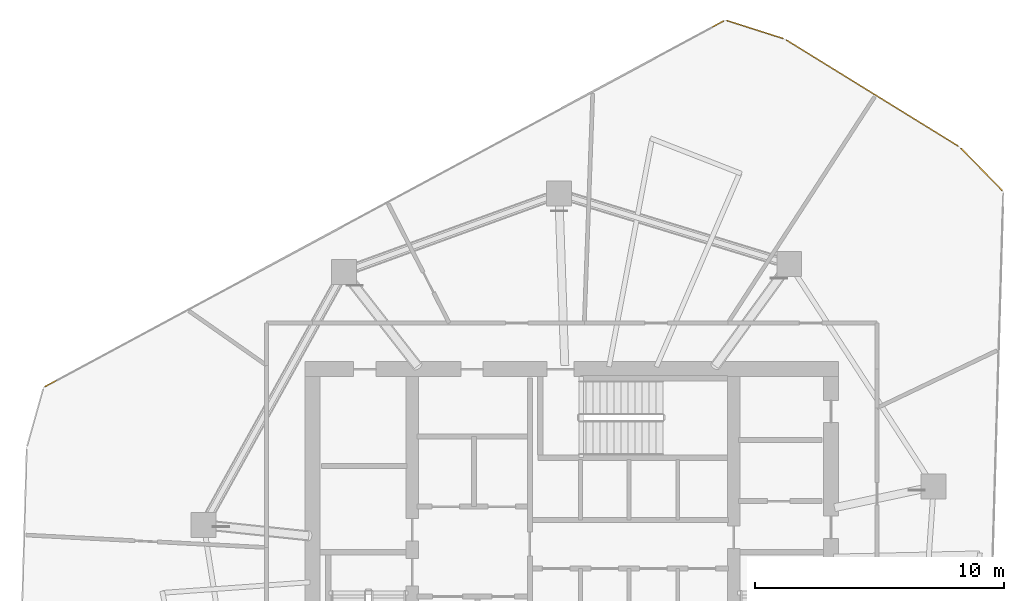
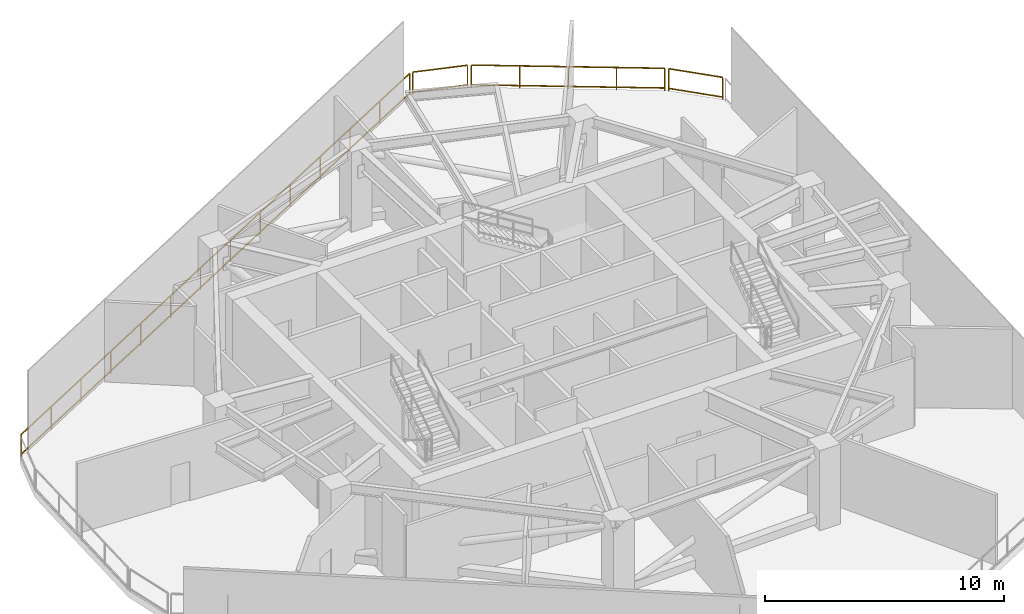
# One storey, part 6 of 6: 4 railings.
"""IFC4 building model written with IfcOpenShell, lengths in metres."""

from ifc_helpers import new_model, si_unit, direction, frame, origin, origin_2d, place, context, subcontext, project, spatial, rectangle, extrude, material, type_object, element, save


model = new_model("IFC4")

# Units and contexts
model_context = context("Model", 3, precision=1e-05, world=origin(), true_north=direction((0.0, 1.0)))
body_context = subcontext(model_context, "Body", "Model", "MODEL_VIEW")
ifc_project = project(units=[si_unit("LENGTHUNIT", "METRE"), si_unit("AREAUNIT", "SQUARE_METRE"), si_unit("VOLUMEUNIT", "CUBIC_METRE"), si_unit("PLANEANGLEUNIT", "RADIAN"), si_unit("MASSUNIT", "GRAM", prefix="KILO")], contexts=[model_context])

# Site, building, storey
site_placement = place(None, origin())
site = spatial("IfcSite", under=ifc_project, at=site_placement, CompositionType="ELEMENT")
building_placement = place(site_placement, origin())
building = spatial("IfcBuilding", under=site, at=building_placement, Name="Qarnah Convention Tower", CompositionType="ELEMENT")
storey_placement = place(building_placement, frame((0.0, 0.0, 172.5)))
storey = spatial("IfcBuildingStorey", under=building, at=storey_placement, Name="L46", CompositionType="ELEMENT", Elevation=172.5)

# Railings
ifc_material = material(Name="Black anodised aluminium", Category="aluminium")
railing_type = type_object("IfcRailingType", Name="RL-EXT-GUARD-1150", PredefinedType="GUARDRAIL", material=ifc_material)
railing_1_placement = place(storey_placement, frame((45.81689453125, 47.406982421875, 0.0)))
element("IfcRailing", 1, at=railing_1_placement, inside=storey, type_object=railing_type, Name="L46 open refuge and plant deck perimeter guard 01", PredefinedType="GUARDRAIL", context=body_context, shape_type="SweptSolid", body=[
    extrude(rectangle(XDim=0.048095703125, YDim=0.048095703125, at=origin_2d()), frame((0.0, 0.0, 1.1259765625), z_axis=(0.85102396879, -0.525126846147, 0.0), x_axis=(0.525126846147, 0.85102396879, 0.0)), (0.0, 0.0, 1.0), 8.09521484375),
    extrude(rectangle(XDim=0.048095703125, YDim=0.048095703125, at=origin_2d()), frame((0.0, 0.0, 0.1201171875), z_axis=(0.85102396879, -0.525126846147, 0.0), x_axis=(0.525126846147, 0.85102396879, 0.0)), (0.0, 0.0, 1.0), 8.09521484375),
    extrude(rectangle(XDim=0.0419921875, YDim=0.0419921875, at=origin_2d()), origin(), (0.0, 0.0, 1.0), 1.101806640625),
    extrude(rectangle(XDim=0.0419921875, YDim=0.0419921875, at=origin_2d()), frame((1.72216796875, -1.062744140625, 0.0)), (0.0, 0.0, 1.0), 1.101806640625),
    extrude(rectangle(XDim=0.0419921875, YDim=0.0419921875, at=origin_2d()), frame((3.444580078125, -2.12548828125, 0.0)), (0.0, 0.0, 1.0), 1.101806640625),
    extrude(rectangle(XDim=0.0419921875, YDim=0.0419921875, at=origin_2d()), frame((5.1669921875, -3.188232421875, 0.0)), (0.0, 0.0, 1.0), 1.101806640625),
    extrude(rectangle(XDim=0.0419921875, YDim=0.0419921875, at=origin_2d()), frame((6.88916015625, -4.2509765625, 0.0)), (0.0, 0.0, 1.0), 1.101806640625),
])
railing_2_placement = place(storey_placement, frame((52.830078125, 43.056884765625, 0.0)))
element("IfcRailing", 2, at=railing_2_placement, inside=storey, type_object=railing_type, Name="L46 open refuge and plant deck perimeter guard 02", PredefinedType="GUARDRAIL", context=body_context, shape_type="SweptSolid", body=[
    extrude(rectangle(XDim=0.048095703125, YDim=0.048095703125, at=origin_2d()), frame((0.0, 0.0, 1.1259765625), z_axis=(0.698522770079, -0.71558782807, 0.0), x_axis=(0.71558782807, 0.698522770079, 0.0)), (0.0, 0.0, 1.0), 2.34619140625),
    extrude(rectangle(XDim=0.048095703125, YDim=0.048095703125, at=origin_2d()), frame((0.0, 0.0, 0.1201171875), z_axis=(0.698522770079, -0.71558782807, 0.0), x_axis=(0.71558782807, 0.698522770079, 0.0)), (0.0, 0.0, 1.0), 2.34619140625),
    extrude(rectangle(XDim=0.0419921875, YDim=0.0419921875, at=origin_2d()), origin(), (0.0, 0.0, 1.0), 1.101806640625),
    extrude(rectangle(XDim=0.0419921875, YDim=0.0419921875, at=origin_2d()), frame((1.638916015625, -1.678955078125, 0.0)), (0.0, 0.0, 1.0), 1.101806640625),
])
railing_3_placement = place(storey_placement, frame((16.072021484375, 33.5048828125, 0.0)))
element("IfcRailing", 3, at=railing_3_placement, inside=storey, type_object=railing_type, Name="L46 open refuge and plant deck perimeter guard 11", PredefinedType="GUARDRAIL", context=body_context, shape_type="SweptSolid", body=[
    extrude(rectangle(XDim=0.048095703125, YDim=0.048095703125, at=origin_2d()), frame((0.0, 0.0, 1.1259765625), z_axis=(0.88032450977, 0.474371961121, 0.0), x_axis=(-0.474371961121, 0.88032450977, 0.0)), (0.0, 0.0, 1.0), 30.919189453125),
    extrude(rectangle(XDim=0.048095703125, YDim=0.048095703125, at=origin_2d()), frame((0.0, 0.0, 0.1201171875), z_axis=(0.88032450977, 0.474371961121, 0.0), x_axis=(-0.474371961121, 0.88032450977, 0.0)), (0.0, 0.0, 1.0), 30.919189453125),
    extrude(rectangle(XDim=0.0419921875, YDim=0.0419921875, at=origin_2d()), origin(), (0.0, 0.0, 1.0), 1.101806640625),
    extrude(rectangle(XDim=0.0419921875, YDim=0.0419921875, at=origin_2d()), frame((2.09375, 1.128173828125, 0.0)), (0.0, 0.0, 1.0), 1.101806640625),
    extrude(rectangle(XDim=0.0419921875, YDim=0.0419921875, at=origin_2d()), frame((4.1875, 2.256591796875, 0.0)), (0.0, 0.0, 1.0), 1.101806640625),
    extrude(rectangle(XDim=0.0419921875, YDim=0.0419921875, at=origin_2d()), frame((6.28125, 3.384765625, 0.0)), (0.0, 0.0, 1.0), 1.101806640625),
    extrude(rectangle(XDim=0.0419921875, YDim=0.0419921875, at=origin_2d()), frame((8.375, 4.512939453125, 0.0)), (0.0, 0.0, 1.0), 1.101806640625),
    extrude(rectangle(XDim=0.0419921875, YDim=0.0419921875, at=origin_2d()), frame((10.46875, 5.641357421875, 0.0)), (0.0, 0.0, 1.0), 1.101806640625),
    extrude(rectangle(XDim=0.0419921875, YDim=0.0419921875, at=origin_2d()), frame((12.5625, 6.76953125, 0.0)), (0.0, 0.0, 1.0), 1.101806640625),
    extrude(rectangle(XDim=0.0419921875, YDim=0.0419921875, at=origin_2d()), frame((14.656494140625, 7.897705078125, 0.0)), (0.0, 0.0, 1.0), 1.101806640625),
    extrude(rectangle(XDim=0.0419921875, YDim=0.0419921875, at=origin_2d()), frame((16.750244140625, 9.02587890625, 0.0)), (0.0, 0.0, 1.0), 1.101806640625),
    extrude(rectangle(XDim=0.0419921875, YDim=0.0419921875, at=origin_2d()), frame((18.843994140625, 10.154296875, 0.0)), (0.0, 0.0, 1.0), 1.101806640625),
    extrude(rectangle(XDim=0.0419921875, YDim=0.0419921875, at=origin_2d()), frame((20.937744140625, 11.282470703125, 0.0)), (0.0, 0.0, 1.0), 1.101806640625),
    extrude(rectangle(XDim=0.0419921875, YDim=0.0419921875, at=origin_2d()), frame((23.031494140625, 12.41064453125, 0.0)), (0.0, 0.0, 1.0), 1.101806640625),
    extrude(rectangle(XDim=0.0419921875, YDim=0.0419921875, at=origin_2d()), frame((25.125244140625, 13.5390625, 0.0)), (0.0, 0.0, 1.0), 1.101806640625),
    extrude(rectangle(XDim=0.0419921875, YDim=0.0419921875, at=origin_2d()), frame((27.218994140625, 14.667236328125, 0.0)), (0.0, 0.0, 1.0), 1.101806640625),
])
railing_4_placement = place(storey_placement, frame((43.43701171875, 48.18603515625, 0.0)))
element("IfcRailing", 4, at=railing_4_placement, inside=storey, type_object=railing_type, Name="L46 open refuge and plant deck perimeter guard 12", PredefinedType="GUARDRAIL", context=body_context, shape_type="SweptSolid", body=[
    extrude(rectangle(XDim=0.048095703125, YDim=0.048095703125, at=origin_2d()), frame((0.0, 0.0, 1.1259765625), z_axis=(0.952722013337, -0.303843323611, 0.0), x_axis=(0.303843323611, 0.952722013337, 0.0)), (0.0, 0.0, 1.0), 2.34716796875),
    extrude(rectangle(XDim=0.048095703125, YDim=0.048095703125, at=origin_2d()), frame((0.0, 0.0, 0.1201171875), z_axis=(0.952722013337, -0.303843323611, 0.0), x_axis=(0.303843323611, 0.952722013337, 0.0)), (0.0, 0.0, 1.0), 2.34716796875),
    extrude(rectangle(XDim=0.0419921875, YDim=0.0419921875, at=origin_2d()), origin(), (0.0, 0.0, 1.0), 1.101806640625),
    extrude(rectangle(XDim=0.0419921875, YDim=0.0419921875, at=origin_2d()), frame((2.236083984375, -0.713134765625, 0.0)), (0.0, 0.0, 1.0), 1.101806640625),
])

save(model, "model.ifc")
